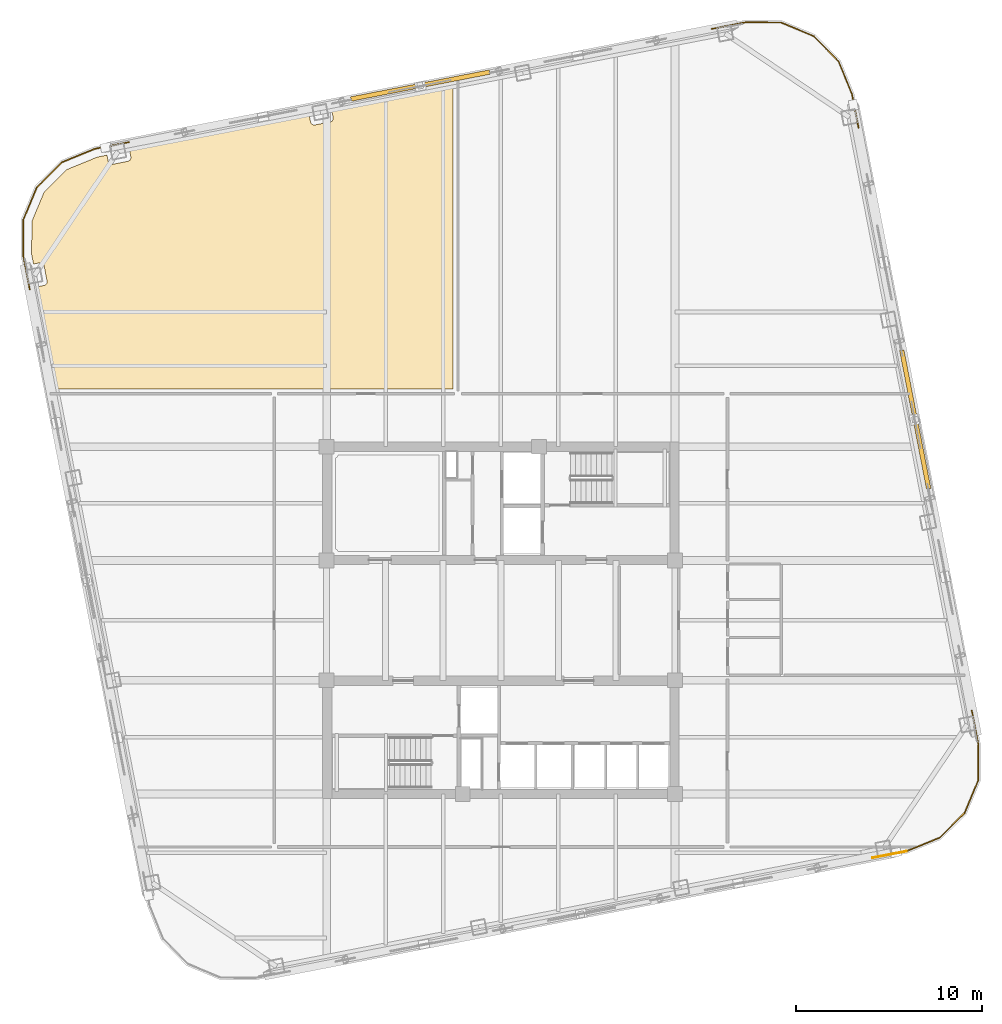
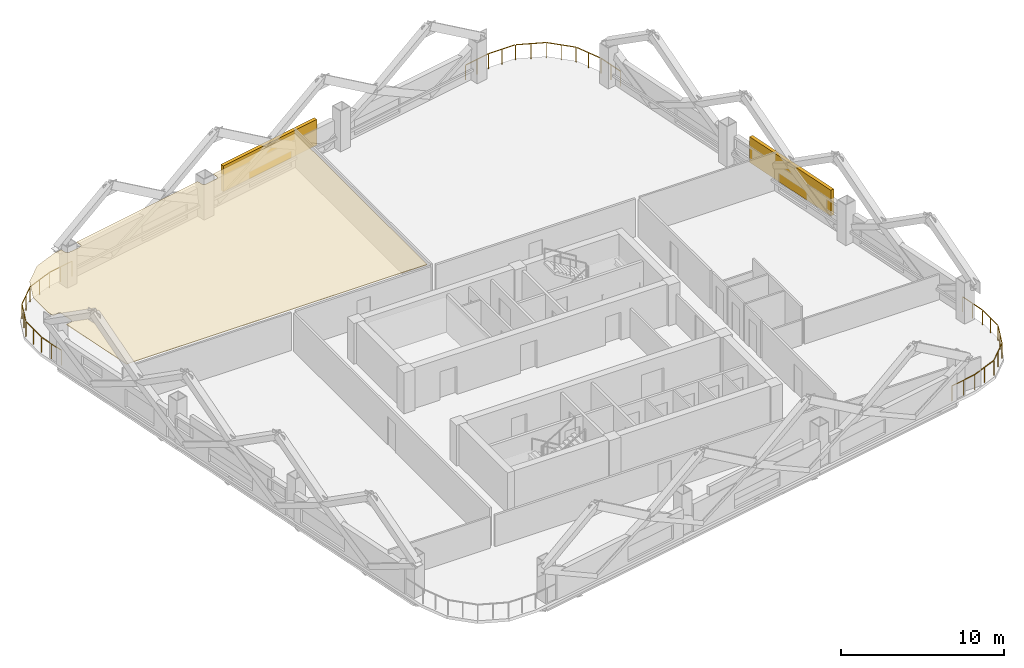
# One storey, part 10 of 10: 4 railings, 2 shading devices, 1 covering.
"""IFC4 building model written with IfcOpenShell, lengths in metres."""

from ifc_helpers import new_model, si_unit, direction, frame, origin, origin_2d, place, context, subcontext, project, spatial, polyline, rectangle, outline, extrude, material, layer, layer_set, type_object, element, save


model = new_model("IFC4")

# Units and contexts
model_context = context("Model", 3, precision=1e-05, world=origin(), true_north=direction((0.0, 1.0)))
body_context = subcontext(model_context, "Body", "Model", "MODEL_VIEW")
ifc_project = project(units=[si_unit("LENGTHUNIT", "METRE"), si_unit("AREAUNIT", "SQUARE_METRE"), si_unit("VOLUMEUNIT", "CUBIC_METRE"), si_unit("PLANEANGLEUNIT", "RADIAN"), si_unit("MASSUNIT", "GRAM", prefix="KILO")], contexts=[model_context])

# Site, building, storey
site_placement = place(None, origin())
site = spatial("IfcSite", under=ifc_project, at=site_placement, CompositionType="ELEMENT")
building_placement = place(site_placement, origin())
building = spatial("IfcBuilding", under=site, at=building_placement, Name="Qhalaya Broadcast Tower", CompositionType="ELEMENT")
storey_placement = place(building_placement, frame((0.0, 0.0, 118.89990234375)))
storey = spatial("IfcBuildingStorey", under=building, at=storey_placement, Name="L34", CompositionType="ELEMENT", Elevation=118.89990234375)

# Covering
ifc_material_1 = material(Name="Acoustic Mineral-Fibre Ceiling")
ifc_layer = layer(ifc_material_1, 0.0400390625, Name="Acoustic Mineral-Fibre Ceiling")
ifc_layer_set = layer_set([ifc_layer], Name="Acoustic Mineral-Fibre Ceiling")
covering_type = type_object("IfcCoveringType", Name="Acoustic Mineral-Fibre Suspended Ceiling CLG-01", PredefinedType="CEILING", material=ifc_layer_set)
covering_placement = place(storey_placement, frame((0.0, 0.0, 2.7900390625)))
element("IfcCovering", 1, at=covering_placement, inside=storey, type_object=covering_type, Name="L34 Acoustic Suspended Ceiling 02", PredefinedType="CEILING", context=body_context, shape_type="SweptSolid", body=[
    extrude(outline(polyline([(-24.91943359375, 18.566162109375), (-23.84912109375, 13.06005859375), (-2.56005859375, 13.06005859375), (-2.56005859375, 29.269287109375), (-9.088623046875, 28.0), (-9.02392578125, 27.66650390625), (-9.02099609375, 27.64697265625), (-9.020263671875, 27.62744140625), (-9.021240234375, 27.60791015625), (-9.024169921875, 27.58837890625), (-9.029052734375, 27.5693359375), (-9.035888671875, 27.551025390625), (-9.044189453125, 27.533203125), (-9.054443359375, 27.5166015625), (-9.066162109375, 27.500732421875), (-9.079345703125, 27.486328125), (-9.093994140625, 27.47314453125), (-9.10986328125, 27.46142578125), (-9.126708984375, 27.451416015625), (-9.14453125, 27.443115234375), (-9.1630859375, 27.436767578125), (-9.181884765625, 27.431884765625), (-10.006591796875, 27.271728515625), (-10.02587890625, 27.268798828125), (-10.045654296875, 27.26806640625), (-10.065185546875, 27.26904296875), (-10.084716796875, 27.27197265625), (-10.103515625, 27.27685546875), (-10.1220703125, 27.28369140625), (-10.1396484375, 27.2919921875), (-10.156494140625, 27.30224609375), (-10.17236328125, 27.31396484375), (-10.186767578125, 27.3271484375), (-10.199951171875, 27.341796875), (-10.21142578125, 27.357666015625), (-10.221435546875, 27.37451171875), (-10.229736328125, 27.392333984375), (-10.236328125, 27.410888671875), (-10.240966796875, 27.4296875), (-10.305908203125, 27.763427734375), (-19.98486328125, 25.882080078125), (-19.919921875, 25.548583984375), (-19.917236328125, 25.529052734375), (-19.916259765625, 25.509521484375), (-19.91748046875, 25.48974609375), (-19.92041015625, 25.470458984375), (-19.92529296875, 25.451416015625), (-19.931884765625, 25.43310546875), (-19.940185546875, 25.415283203125), (-19.950439453125, 25.3984375), (-19.96240234375, 25.3828125), (-19.9755859375, 25.368408203125), (-19.989990234375, 25.35498046875), (-20.005859375, 25.343505859375), (-20.022705078125, 25.33349609375), (-20.04052734375, 25.3251953125), (-20.05908203125, 25.318603515625), (-20.078125, 25.31396484375), (-20.902587890625, 25.15380859375), (-20.922119140625, 25.15087890625), (-20.941650390625, 25.14990234375), (-20.961181640625, 25.15087890625), (-20.980712890625, 25.154052734375), (-20.999755859375, 25.158935546875), (-21.01806640625, 25.16552734375), (-21.035888671875, 25.174072265625), (-21.052490234375, 25.18408203125), (-21.068359375, 25.196044921875), (-21.082763671875, 25.209228515625), (-21.095947265625, 25.223876953125), (-21.107666015625, 25.239501953125), (-21.11767578125, 25.256591796875), (-21.1259765625, 25.2744140625), (-21.13232421875, 25.292724609375), (-21.13720703125, 25.311767578125), (-21.201904296875, 25.6455078125), (-21.71533203125, 25.545654296875), (-23.361328125, 24.872314453125), (-24.5830078125, 23.661376953125), (-25.248046875, 22.074951171875), (-25.255859375, 20.296630859375), (-25.156005859375, 19.783447265625), (-24.822509765625, 19.84814453125), (-24.802978515625, 19.85107421875), (-24.783203125, 19.851806640625), (-24.763671875, 19.850830078125), (-24.744384765625, 19.847900390625), (-24.725341796875, 19.843017578125), (-24.706787109375, 19.836181640625), (-24.689208984375, 19.827880859375), (-24.67236328125, 19.817626953125), (-24.656494140625, 19.805908203125), (-24.64208984375, 19.792724609375), (-24.62890625, 19.778076171875), (-24.617431640625, 19.76220703125), (-24.607421875, 19.745361328125), (-24.59912109375, 19.7275390625), (-24.592529296875, 19.708984375), (-24.587890625, 19.690185546875), (-24.427490234375, 18.865478515625), (-24.4248046875, 18.84619140625), (-24.423828125, 18.826416015625), (-24.4248046875, 18.806884765625), (-24.427978515625, 18.78759765625), (-24.432861328125, 18.7685546875), (-24.439453125, 18.75), (-24.447998046875, 18.732421875), (-24.4580078125, 18.715576171875), (-24.4697265625, 18.699951171875), (-24.483154296875, 18.685302734375), (-24.497802734375, 18.67236328125), (-24.513427734375, 18.66064453125), (-24.530517578125, 18.650634765625), (-24.548095703125, 18.642333984375), (-24.566650390625, 18.6357421875), (-24.585693359375, 18.631103515625), (-24.91943359375, 18.566162109375)])), origin(), (0.0, 0.0, 1.0), 0.0400390625),
])

# Railings
ifc_material_2 = material(Name="Powder-Coated Galvanised Steel", Category="steel")
railing_type = type_object("IfcRailingType", Name="Terrace, Sky-Pool & Lookout Glass Balustrade 1150", PredefinedType="BALUSTRADE", material=ifc_material_2)
railing_1_placement = place(storey_placement, frame((21.847412109375, -11.82861328125, 0.0)))
element("IfcRailing", 2, at=railing_1_placement, inside=storey, type_object=railing_type, Name="L34 Rounded Corner Perimeter Guard 01", PredefinedType="BALUSTRADE", context=body_context, shape_type="SweptSolid", body=[
    extrude(rectangle(XDim=0.048095703125, YDim=0.048095703125, at=origin_2d()), frame((0.0, 0.0, 1.1259765625), z_axis=(-0.981618812261, -0.190852056357, 0.0), x_axis=(0.190852056357, -0.981618812261, 0.0)), (0.0, 0.0, 1.0), 1.856201171875),
    extrude(rectangle(XDim=0.0419921875, YDim=0.0419921875, at=origin_2d()), origin(), (0.0, 0.0, 1.0), 1.099853515625),
    extrude(rectangle(XDim=0.0419921875, YDim=0.0419921875, at=origin_2d()), frame((-0.9111328125, -0.17724609375, 0.0)), (0.0, 0.0, 1.0), 1.099853515625),
    extrude(rectangle(XDim=0.0419921875, YDim=0.0419921875, at=origin_2d()), frame((-1.822021484375, -0.354248046875, 0.0)), (0.0, 0.0, 1.0), 1.099853515625),
])
railing_2_placement = place(storey_placement, frame((-25.36181640625, 18.43115234375, 0.0)))
element("IfcRailing", 3, at=railing_2_placement, inside=storey, type_object=railing_type, Name="L34 Rounded Corner Perimeter Guard 03", PredefinedType="BALUSTRADE", context=body_context, shape_type="SweptSolid", body=[
    extrude(rectangle(XDim=0.048095703125, YDim=0.048095703125, at=origin_2d()), frame((0.0, 0.0, 1.1259765625), z_axis=(-0.190827417864, 0.981623602299, 0.0), x_axis=(-0.981623602299, -0.190827417864, 0.0)), (0.0, 0.0, 1.0), 1.82763671875),
    extrude(rectangle(XDim=0.048095703125, YDim=0.048095703125, at=origin_2d()), frame((-0.35400390625, 1.85107421875, 1.1259765625), z_axis=(0.004334482484, 0.999990606087, 0.0), x_axis=(-0.999990606087, 0.004334482484, 0.0)), (0.0, 0.0, 1.0), 1.857421875),
    extrude(rectangle(XDim=0.048095703125, YDim=0.048095703125, at=origin_2d()), frame((-0.334716796875, 3.763916015625, 1.1259765625), z_axis=(0.386754828875, 0.922182575384, 0.0), x_axis=(-0.922182575384, 0.386754828875, 0.0)), (0.0, 0.0, 1.0), 1.845458984375),
    extrude(rectangle(XDim=0.048095703125, YDim=0.048095703125, at=origin_2d()), frame((0.41064453125, 5.5126953125, 1.1259765625), z_axis=(0.710178888649, 0.704021268228, 0.0), x_axis=(-0.704021268228, 0.710178888649, 0.0)), (0.0, 0.0, 1.0), 1.845458984375),
    extrude(rectangle(XDim=0.048095703125, YDim=0.048095703125, at=origin_2d()), frame((1.768310546875, 6.84326171875, 1.1259765625), z_axis=(0.92552055863, 0.378697366711, 0.0), x_axis=(-0.378697366711, 0.92552055863, 0.0)), (0.0, 0.0, 1.0), 1.857666015625),
    extrude(rectangle(XDim=0.048095703125, YDim=0.048095703125, at=origin_2d()), frame((3.542724609375, 7.563232421875, 1.1259765625), z_axis=(0.981643446311, 0.190725311155, 0.0), x_axis=(-0.190725311155, 0.981643446311, 0.0)), (0.0, 0.0, 1.0), 1.8271484375),
    extrude(rectangle(XDim=0.0419921875, YDim=0.0419921875, at=origin_2d()), origin(), (0.0, 0.0, 1.0), 1.099853515625),
    extrude(rectangle(XDim=0.0419921875, YDim=0.0419921875, at=origin_2d()), frame((-0.17724609375, 0.9111328125, 0.0)), (0.0, 0.0, 1.0), 1.099853515625),
    extrude(rectangle(XDim=0.0419921875, YDim=0.0419921875, at=origin_2d()), frame((-0.354248046875, 1.822265625, 0.0)), (0.0, 0.0, 1.0), 1.099853515625),
    extrude(rectangle(XDim=0.0419921875, YDim=0.0419921875, at=origin_2d()), frame((-0.35009765625, 2.77978515625, 0.0)), (0.0, 0.0, 1.0), 1.099853515625),
    extrude(rectangle(XDim=0.0419921875, YDim=0.0419921875, at=origin_2d()), frame((-0.345947265625, 3.7373046875, 0.0)), (0.0, 0.0, 1.0), 1.099853515625),
    extrude(rectangle(XDim=0.0419921875, YDim=0.0419921875, at=origin_2d()), frame((0.02197265625, 4.61474609375, 0.0)), (0.0, 0.0, 1.0), 1.099853515625),
    extrude(rectangle(XDim=0.0419921875, YDim=0.0419921875, at=origin_2d()), frame((0.39013671875, 5.492431640625, 0.0)), (0.0, 0.0, 1.0), 1.099853515625),
    extrude(rectangle(XDim=0.0419921875, YDim=0.0419921875, at=origin_2d()), frame((1.06591796875, 6.162353515625, 0.0)), (0.0, 0.0, 1.0), 1.099853515625),
    extrude(rectangle(XDim=0.0419921875, YDim=0.0419921875, at=origin_2d()), frame((1.74169921875, 6.832275390625, 0.0)), (0.0, 0.0, 1.0), 1.099853515625),
    extrude(rectangle(XDim=0.0419921875, YDim=0.0419921875, at=origin_2d()), frame((2.6279296875, 7.19482421875, 0.0)), (0.0, 0.0, 1.0), 1.099853515625),
    extrude(rectangle(XDim=0.0419921875, YDim=0.0419921875, at=origin_2d()), frame((3.514404296875, 7.5576171875, 0.0)), (0.0, 0.0, 1.0), 1.099853515625),
    extrude(rectangle(XDim=0.0419921875, YDim=0.0419921875, at=origin_2d()), frame((4.42529296875, 7.734619140625, 0.0)), (0.0, 0.0, 1.0), 1.099853515625),
    extrude(rectangle(XDim=0.0419921875, YDim=0.0419921875, at=origin_2d()), frame((5.33642578125, 7.91162109375, 0.0)), (0.0, 0.0, 1.0), 1.099853515625),
])
railing_3_placement = place(storey_placement, frame((11.351318359375, 32.44189453125, 0.0)))
element("IfcRailing", 4, at=railing_3_placement, inside=storey, type_object=railing_type, Name="L34 Rounded Corner Perimeter Guard 04", PredefinedType="BALUSTRADE", context=body_context, shape_type="SweptSolid", body=[
    extrude(rectangle(XDim=0.048095703125, YDim=0.048095703125, at=origin_2d()), frame((0.0, 0.0, 1.1259765625), z_axis=(0.981643446311, 0.190725311155, 0.0), x_axis=(-0.190725311155, 0.981643446311, 0.0)), (0.0, 0.0, 1.0), 1.8271484375),
    extrude(rectangle(XDim=0.048095703125, YDim=0.048095703125, at=origin_2d()), frame((1.850830078125, 0.353759765625, 1.1259765625), z_axis=(0.999990606087, -0.004334482484, 0.0), x_axis=(0.004334482484, 0.999990606087, 0.0)), (0.0, 0.0, 1.0), 1.857421875),
    extrude(rectangle(XDim=0.048095703125, YDim=0.048095703125, at=origin_2d()), frame((3.763671875, 0.33447265625, 1.1259765625), z_axis=(0.922247496545, -0.386599993684, 0.0), x_axis=(0.386599993684, 0.922247496545, 0.0)), (0.0, 0.0, 1.0), 1.845703125),
    extrude(rectangle(XDim=0.048095703125, YDim=0.048095703125, at=origin_2d()), frame((5.5126953125, -0.41064453125, 1.1259765625), z_axis=(0.704021268228, -0.710178888649, 0.0), x_axis=(0.710178888649, 0.704021268228, 0.0)), (0.0, 0.0, 1.0), 1.845458984375),
    extrude(rectangle(XDim=0.048095703125, YDim=0.048095703125, at=origin_2d()), frame((6.84326171875, -1.768310546875, 1.1259765625), z_axis=(0.378588174109, -0.925565229698, 0.0), x_axis=(0.925565229698, 0.378588174109, 0.0)), (0.0, 0.0, 1.0), 1.857666015625),
    extrude(rectangle(XDim=0.048095703125, YDim=0.048095703125, at=origin_2d()), frame((7.56298828125, -3.542724609375, 1.1259765625), z_axis=(0.190725311155, -0.981643446311, 0.0), x_axis=(0.981643446311, 0.190725311155, 0.0)), (0.0, 0.0, 1.0), 1.8271484375),
    extrude(rectangle(XDim=0.0419921875, YDim=0.0419921875, at=origin_2d()), origin(), (0.0, 0.0, 1.0), 1.099853515625),
    extrude(rectangle(XDim=0.0419921875, YDim=0.0419921875, at=origin_2d()), frame((0.9111328125, 0.177001953125, 0.0)), (0.0, 0.0, 1.0), 1.099853515625),
    extrude(rectangle(XDim=0.0419921875, YDim=0.0419921875, at=origin_2d()), frame((1.822021484375, 0.35400390625, 0.0)), (0.0, 0.0, 1.0), 1.099853515625),
    extrude(rectangle(XDim=0.0419921875, YDim=0.0419921875, at=origin_2d()), frame((2.779541015625, 0.349853515625, 0.0)), (0.0, 0.0, 1.0), 1.099853515625),
    extrude(rectangle(XDim=0.0419921875, YDim=0.0419921875, at=origin_2d()), frame((3.737060546875, 0.345703125, 0.0)), (0.0, 0.0, 1.0), 1.099853515625),
    extrude(rectangle(XDim=0.0419921875, YDim=0.0419921875, at=origin_2d()), frame((4.61474609375, -0.022216796875, 0.0)), (0.0, 0.0, 1.0), 1.099853515625),
    extrude(rectangle(XDim=0.0419921875, YDim=0.0419921875, at=origin_2d()), frame((5.492431640625, -0.39013671875, 0.0)), (0.0, 0.0, 1.0), 1.099853515625),
    extrude(rectangle(XDim=0.0419921875, YDim=0.0419921875, at=origin_2d()), frame((6.162353515625, -1.06591796875, 0.0)), (0.0, 0.0, 1.0), 1.099853515625),
    extrude(rectangle(XDim=0.0419921875, YDim=0.0419921875, at=origin_2d()), frame((6.832275390625, -1.74169921875, 0.0)), (0.0, 0.0, 1.0), 1.099853515625),
    extrude(rectangle(XDim=0.0419921875, YDim=0.0419921875, at=origin_2d()), frame((7.19482421875, -2.6279296875, 0.0)), (0.0, 0.0, 1.0), 1.099853515625),
    extrude(rectangle(XDim=0.0419921875, YDim=0.0419921875, at=origin_2d()), frame((7.557373046875, -3.514404296875, 0.0)), (0.0, 0.0, 1.0), 1.099853515625),
    extrude(rectangle(XDim=0.0419921875, YDim=0.0419921875, at=origin_2d()), frame((7.734375, -4.42529296875, 0.0)), (0.0, 0.0, 1.0), 1.099853515625),
    extrude(rectangle(XDim=0.0419921875, YDim=0.0419921875, at=origin_2d()), frame((7.911376953125, -5.33642578125, 0.0)), (0.0, 0.0, 1.0), 1.099853515625),
])
railing_4_placement = place(storey_placement, frame((25.36181640625, -4.271240234375, 0.0)))
element("IfcRailing", 5, at=railing_4_placement, inside=storey, type_object=railing_type, Name="L34 Rounded Corner Perimeter Guard 05", PredefinedType="BALUSTRADE", context=body_context, shape_type="SweptSolid", body=[
    extrude(rectangle(XDim=0.048095703125, YDim=0.048095703125, at=origin_2d()), frame((0.0, 0.0, 1.1259765625), z_axis=(0.190827417864, -0.981623602299, 0.0), x_axis=(0.981623602299, 0.190827417864, 0.0)), (0.0, 0.0, 1.0), 1.82763671875),
    extrude(rectangle(XDim=0.048095703125, YDim=0.048095703125, at=origin_2d()), frame((0.35400390625, -1.85107421875, 1.1259765625), z_axis=(-0.004334482484, -0.999990606087, 0.0), x_axis=(0.999990606087, -0.004334482484, 0.0)), (0.0, 0.0, 1.0), 1.857421875),
    extrude(rectangle(XDim=0.048095703125, YDim=0.048095703125, at=origin_2d()), frame((0.334716796875, -3.763916015625, 1.1259765625), z_axis=(-0.386754828875, -0.922182575384, 0.0), x_axis=(0.922182575384, -0.386754828875, 0.0)), (0.0, 0.0, 1.0), 1.845458984375),
    extrude(rectangle(XDim=0.048095703125, YDim=0.048095703125, at=origin_2d()), frame((-0.41064453125, -5.5126953125, 1.1259765625), z_axis=(-0.710178888649, -0.704021268228, 0.0), x_axis=(0.704021268228, -0.710178888649, 0.0)), (0.0, 0.0, 1.0), 1.845458984375),
    extrude(rectangle(XDim=0.048095703125, YDim=0.048095703125, at=origin_2d()), frame((-1.768310546875, -6.84326171875, 1.1259765625), z_axis=(-0.925565229698, -0.378588174109, 0.0), x_axis=(0.378588174109, -0.925565229698, 0.0)), (0.0, 0.0, 1.0), 1.886474609375),
    extrude(rectangle(XDim=0.0419921875, YDim=0.0419921875, at=origin_2d()), origin(), (0.0, 0.0, 1.0), 1.099853515625),
    extrude(rectangle(XDim=0.0419921875, YDim=0.0419921875, at=origin_2d()), frame((0.17724609375, -0.9111328125, 0.0)), (0.0, 0.0, 1.0), 1.099853515625),
    extrude(rectangle(XDim=0.0419921875, YDim=0.0419921875, at=origin_2d()), frame((0.354248046875, -1.822265625, 0.0)), (0.0, 0.0, 1.0), 1.099853515625),
    extrude(rectangle(XDim=0.0419921875, YDim=0.0419921875, at=origin_2d()), frame((0.35009765625, -2.77978515625, 0.0)), (0.0, 0.0, 1.0), 1.099853515625),
    extrude(rectangle(XDim=0.0419921875, YDim=0.0419921875, at=origin_2d()), frame((0.345947265625, -3.7373046875, 0.0)), (0.0, 0.0, 1.0), 1.099853515625),
    extrude(rectangle(XDim=0.0419921875, YDim=0.0419921875, at=origin_2d()), frame((-0.02197265625, -4.61474609375, 0.0)), (0.0, 0.0, 1.0), 1.099853515625),
    extrude(rectangle(XDim=0.0419921875, YDim=0.0419921875, at=origin_2d()), frame((-0.39013671875, -5.492431640625, 0.0)), (0.0, 0.0, 1.0), 1.099853515625),
    extrude(rectangle(XDim=0.0419921875, YDim=0.0419921875, at=origin_2d()), frame((-1.06591796875, -6.162353515625, 0.0)), (0.0, 0.0, 1.0), 1.099853515625),
    extrude(rectangle(XDim=0.0419921875, YDim=0.0419921875, at=origin_2d()), frame((-1.74169921875, -6.832275390625, 0.0)), (0.0, 0.0, 1.0), 1.099853515625),
    extrude(rectangle(XDim=0.0419921875, YDim=0.0419921875, at=origin_2d()), frame((-2.6279296875, -7.19482421875, 0.0)), (0.0, 0.0, 1.0), 1.099853515625),
    extrude(rectangle(XDim=0.0419921875, YDim=0.0419921875, at=origin_2d()), frame((-3.514404296875, -7.557373046875, 0.0)), (0.0, 0.0, 1.0), 1.099853515625),
])

# Shading devices
ifc_material_3 = material(Name="Fired Architectural Terracotta", Category="masonry")
shading_device_type = type_object("IfcShadingDeviceType", Name="Terracotta Baguette Solar Screen Assembly TBS-01", PredefinedType="USERDEFINED", material=ifc_material_3)
for number, where, z_axis, x_axis, name in (
    (6, (22.3125, 11.4169921875, 0.79248046875), (0.0, 0.0, 1.0), (-0.190808995377, 0.981627183448, 0.0), "L34 Fired Terracotta Baguette Screen E"),
    (7, (-4.337158203125, 29.392333984375, 0.79248046875), (0.0, 0.0, 1.0), (-0.981627183448, -0.190808995377, 0.0), "L34 Fired Terracotta Baguette Screen N"),
):
    element("IfcShadingDevice", number, at=place(storey_placement, frame(where, z_axis=z_axis, x_axis=x_axis)), inside=storey, type_object=shading_device_type, Name=name, ObjectType="BAGUETTE", PredefinedType="USERDEFINED", context=body_context, shape_type="SweptSolid", body=[
        extrude(rectangle(XDim=7.60009765625, YDim=0.239990234375, at=origin_2d()), origin(), (0.0, 0.0, 1.0), 1.924072265625),
    ])

save(model, "model.ifc")
